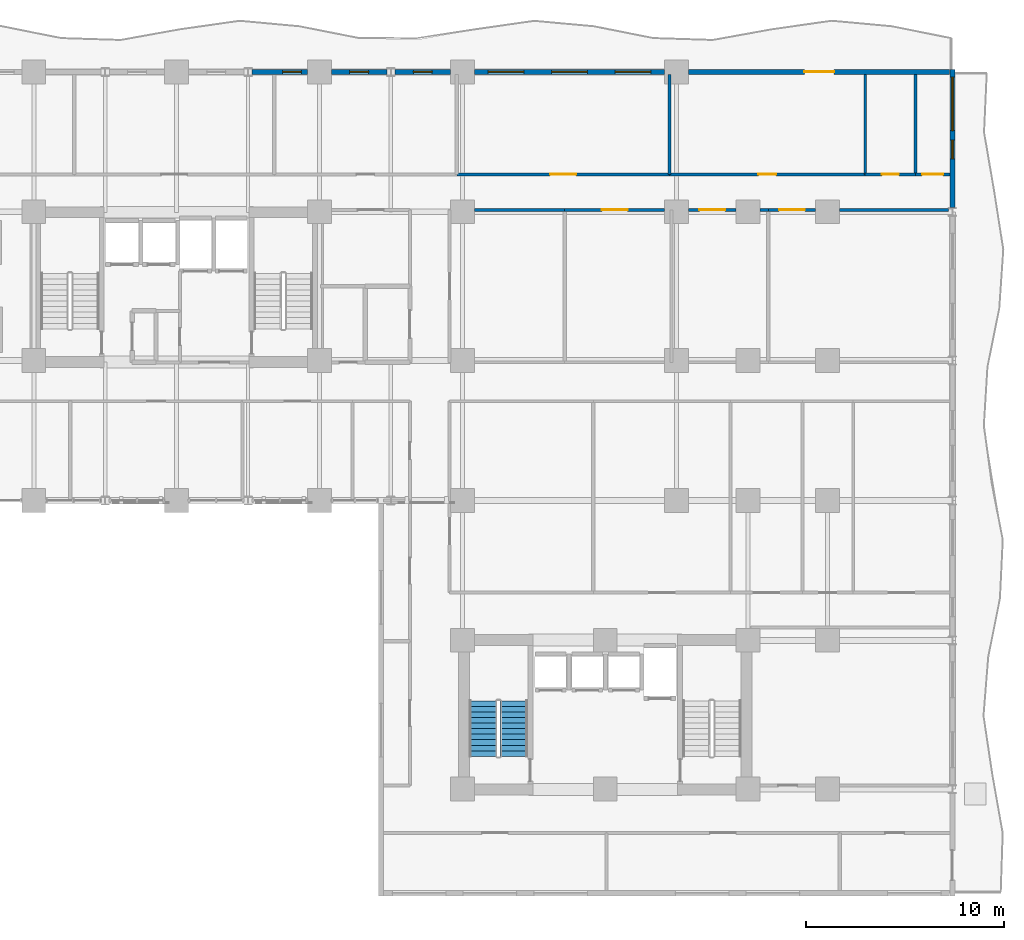
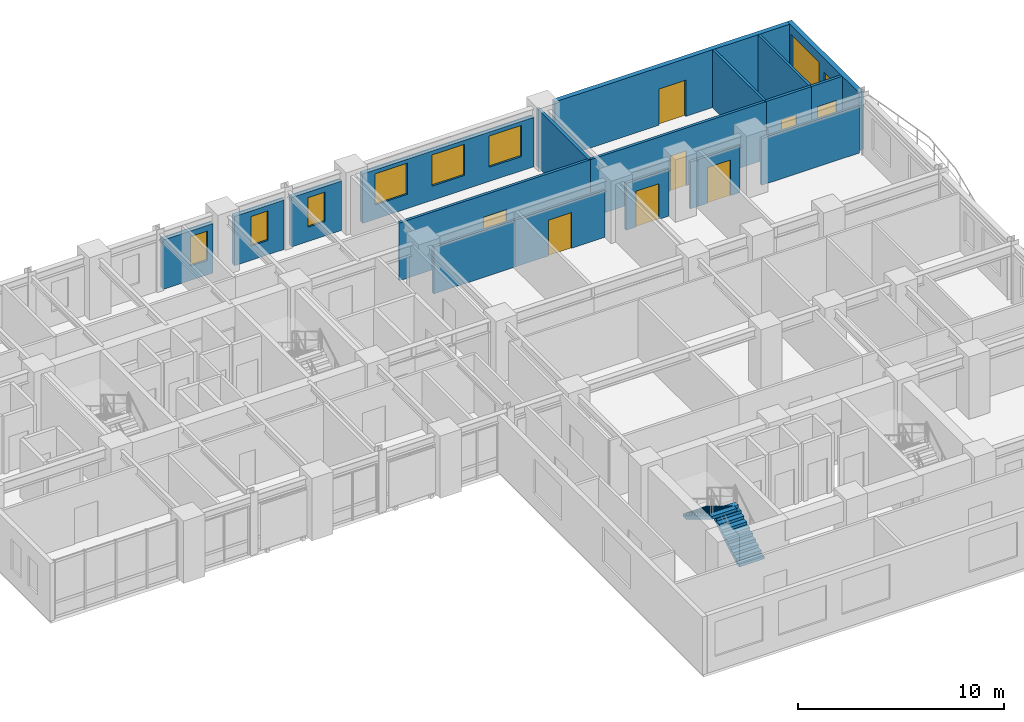
# One storey, part 12 of 16: 19 walls, 8 doors, 8 windows, 2 stair flights, 16 openings, 1 element without a shape of its own.
"""IFC4 building model written with IfcOpenShell, lengths in metres."""

from ifc_helpers import new_model, si_unit, direction, frame, frame_2d, origin, place, context, subcontext, project, spatial, polyline, rectangle, outline, extrude, material, layer, layer_set, type_object, element, fill, aggregate, save


model = new_model("IFC4")

# Units and contexts
model_context = context("Model", 3, precision=1e-05, world=origin(), true_north=direction((0.0, 1.0)))
body_context = subcontext(model_context, "Body", "Model", "MODEL_VIEW")
ifc_project = project(units=[si_unit("LENGTHUNIT", "METRE"), si_unit("AREAUNIT", "SQUARE_METRE"), si_unit("VOLUMEUNIT", "CUBIC_METRE"), si_unit("PLANEANGLEUNIT", "RADIAN"), si_unit("MASSUNIT", "GRAM", prefix="KILO")], contexts=[model_context])

# Site, building, storey
site_placement = place(None, origin())
site = spatial("IfcSite", under=ifc_project, at=site_placement, CompositionType="ELEMENT")
building_placement = place(site_placement, origin())
building = spatial("IfcBuilding", under=site, at=building_placement, Name="Kaliganga Portal Commons", CompositionType="ELEMENT")
storey_placement = place(building_placement, frame((0.0, 0.0, 82.300048828125)))
storey = spatial("IfcBuildingStorey", under=building, at=storey_placement, Name="L20", CompositionType="ELEMENT", Elevation=82.300048828125)

# Wall, openings, windows
ifc_material_1 = material(Name="Insulated Aluminium-Clad Spandrel Assembly", Category="aluminium")
ifc_layer_1 = layer(ifc_material_1, 0.260009765625)
ifc_layer_set_1 = layer_set([ifc_layer_1], Name="Insulated Aluminium-Clad Spandrel Assembly")
wall_type_1 = type_object("IfcWallType", Name="WL-EXT-SPAND-260", PredefinedType="STANDARD", material=ifc_layer_set_1)
wall_1_placement = place(storey_placement, frame((60.699951171875, 43.330078125, 0.0), z_axis=(0.0, 0.0, 1.0), x_axis=(0.0, -1.0, 0.0)))
wall_1 = element("IfcWall", 1, at=wall_1_placement, inside=storey, type_object=wall_type_1, Name="Exterior Envelope Wall L20 P1-E01-S6", PredefinedType="STANDARD", context=body_context, shape_type="SweptSolid", body=[
    extrude(rectangle(XDim=6.964111328125, YDim=0.260009765625, at=frame_2d((3.48193359375, 0.0))), origin(), (0.0, 0.0, 1.0), 3.429931640625),
])
opening_1_placement = place(wall_1_placement, frame((0.39111328125, 0.0, 0.85009765625)))
opening_1 = element("IfcOpeningElement", 2, at=opening_1_placement, cuts=wall_1, Name="Opening W-07", PredefinedType="OPENING", context=body_context, shape_type="SweptSolid", body=[
    extrude(rectangle(XDim=2.699951171875, YDim=2.050048828125, at=frame_2d((1.35009765625, 1.02490234375))), frame((0.0, 0.14013671875, 0.0), z_axis=(0.0, -1.0, 0.0), x_axis=(1.0, 0.0, 0.0)), (0.0, 0.0, 1.0), 0.280029296875),
])
opening_2_placement = place(wall_1_placement, frame((3.564208984375, 0.0, 0.85009765625)))
opening_2 = element("IfcOpeningElement", 3, at=opening_2_placement, cuts=wall_1, Name="Opening W-04", PredefinedType="OPENING", context=body_context, shape_type="SweptSolid", body=[
    extrude(rectangle(XDim=0.949951171875, YDim=1.75, at=frame_2d((0.47509765625, 0.875))), frame((0.0, 0.14013671875, 0.0), z_axis=(0.0, -1.0, 0.0), x_axis=(1.0, 0.0, 0.0)), (0.0, 0.0, 1.0), 0.280029296875),
])
ifc_material_2 = material(Name="Thermally Broken Aluminium and Low-E Double Glazing", Category="aluminium")
window_type_1 = type_object("IfcWindowType", Name="WIN-LOUNGE-2700", PartitioningType="TRIPLE_PANEL_VERTICAL", PredefinedType="WINDOW", material=ifc_material_2)
window_1_placement = place(opening_1_placement, origin())
window_1 = element("IfcWindow", 4, at=window_1_placement, inside=storey, type_object=window_type_1, Name="Facade Window L20-P1E01S6-00", OverallHeight=2.050048828125, OverallWidth=2.699951171875, PartitioningType="SINGLE_PANEL", PredefinedType="WINDOW", context=body_context, shape_type="SweptSolid", body=[
    extrude(rectangle(XDim=2.699951171875, YDim=2.050048828125, at=frame_2d((1.35009765625, 1.02490234375))), frame((0.0, 0.030029296875, 0.0), z_axis=(0.0, -1.0, 0.0), x_axis=(1.0, 0.0, 0.0)), (0.0, 0.0, 1.0), 0.06005859375),
])
fill(opening_1, window_1)
window_type_2 = type_object("IfcWindowType", Name="WIN-NARROW-950", PartitioningType="SINGLE_PANEL", PredefinedType="WINDOW", material=ifc_material_2)
window_2_placement = place(opening_2_placement, origin())
window_2 = element("IfcWindow", 5, at=window_2_placement, inside=storey, type_object=window_type_2, Name="Facade Window L20-P1E01S6-N6", OverallHeight=1.75, OverallWidth=0.949951171875, PartitioningType="SINGLE_PANEL", PredefinedType="WINDOW", context=body_context, shape_type="SweptSolid", body=[
    extrude(rectangle(XDim=0.949951171875, YDim=1.75, at=frame_2d((0.47509765625, 0.875))), frame((0.0, 0.030029296875, 0.0), z_axis=(0.0, -1.0, 0.0), x_axis=(1.0, 0.0, 0.0)), (0.0, 0.0, 1.0), 0.06005859375),
])
fill(opening_2, window_2)

# Wall, opening, door
wall_2_placement = place(storey_placement, frame((47.40087890625, 43.199951171875, 0.0), z_axis=(0.0, 0.0, 1.0), x_axis=(1.0, 0.0, 0.0)))
wall_2 = element("IfcWall", 6, at=wall_2_placement, inside=storey, type_object=wall_type_1, Name="Exterior Envelope Wall L20 P1-E02-S1", PredefinedType="STANDARD", context=body_context, shape_type="SweptSolid", body=[
    extrude(rectangle(XDim=13.1640625, YDim=0.260009765625, at=frame_2d((6.58203125, 0.0))), origin(), (0.0, 0.0, 1.0), 3.429931640625),
])
opening_3_placement = place(wall_2_placement, frame((5.83203125, 0.0, 0.0)))
opening_3 = element("IfcOpeningElement", 7, at=opening_3_placement, cuts=wall_2, Name="Opening BD-01", PredefinedType="OPENING", context=body_context, shape_type="SweptSolid", body=[
    extrude(rectangle(XDim=1.5, YDim=2.14990234375, at=frame_2d((0.75, 1.074951171875))), frame((0.0, 0.14013671875, 0.0), z_axis=(0.0, -1.0, 0.0), x_axis=(1.0, 0.0, 0.0)), (0.0, 0.0, 1.0), 0.280029296875),
])
ifc_material_3 = material(Name="Anodized Aluminium and Laminated Safety Glass", Category="aluminium")
door_type_1 = type_object("IfcDoorType", Name="DR-BALC-1500", OperationType="SLIDING_TO_LEFT", PredefinedType="DOOR", material=ifc_material_3)
door_1_placement = place(opening_3_placement, origin())
door_1 = element("IfcDoor", 8, at=door_1_placement, inside=storey, type_object=door_type_1, Name="Balcony Sliding Door L20 balc_north", OperationType="SLIDING_TO_LEFT", OverallHeight=2.14990234375, OverallWidth=1.5, PredefinedType="DOOR", context=body_context, shape_type="SweptSolid", body=[
    extrude(rectangle(XDim=1.5, YDim=2.14990234375, at=frame_2d((0.75, 1.074951171875))), frame((0.0, 0.02490234375, 0.0), z_axis=(0.0, -1.0, 0.0), x_axis=(1.0, 0.0, 0.0)), (0.0, 0.0, 1.0), 0.050048828125),
])
fill(opening_3, door_1)

# Wall, openings, windows
wall_3_placement = place(storey_placement, frame((36.60107421875, 43.199951171875, 0.0), z_axis=(0.0, 0.0, 1.0), x_axis=(1.0, 0.0, 0.0)))
wall_3 = element("IfcWall", 9, at=wall_3_placement, inside=storey, type_object=wall_type_1, Name="Exterior Envelope Wall L20 P1-E02-S2", PredefinedType="STANDARD", context=body_context, shape_type="SweptSolid", body=[
    extrude(rectangle(XDim=9.597900390625, YDim=0.260009765625, at=frame_2d((4.798828125, 0.0))), origin(), (0.0, 0.0, 1.0), 2.929931640625),
])
opening_4_placement = place(wall_3_placement, frame((0.69970703125, 0.0, 0.85009765625)))
opening_4 = element("IfcOpeningElement", 10, at=opening_4_placement, cuts=wall_3, Name="Opening W-01", PredefinedType="OPENING", context=body_context, shape_type="SweptSolid", body=[
    extrude(rectangle(XDim=1.800048828125, YDim=1.85009765625, at=frame_2d((0.89990234375, 0.925048828125))), frame((0.0, 0.14013671875, 0.0), z_axis=(0.0, -1.0, 0.0), x_axis=(1.0, 0.0, 0.0)), (0.0, 0.0, 1.0), 0.280029296875),
])
opening_5_placement = place(wall_3_placement, frame((3.89892578125, 0.0, 0.85009765625)))
opening_5 = element("IfcOpeningElement", 11, at=opening_5_placement, cuts=wall_3, Name="Opening W-01", PredefinedType="OPENING", context=body_context, shape_type="SweptSolid", body=[
    extrude(rectangle(XDim=1.800048828125, YDim=1.85009765625, at=frame_2d((0.89990234375, 0.925048828125))), frame((0.0, 0.14013671875, 0.0), z_axis=(0.0, -1.0, 0.0), x_axis=(1.0, 0.0, 0.0)), (0.0, 0.0, 1.0), 0.280029296875),
])
opening_6_placement = place(wall_3_placement, frame((7.098388671875, 0.0, 0.85009765625)))
opening_6 = element("IfcOpeningElement", 12, at=opening_6_placement, cuts=wall_3, Name="Opening W-01", PredefinedType="OPENING", context=body_context, shape_type="SweptSolid", body=[
    extrude(rectangle(XDim=1.800048828125, YDim=1.85009765625, at=frame_2d((0.89990234375, 0.925048828125))), frame((0.0, 0.14013671875, 0.0), z_axis=(0.0, -1.0, 0.0), x_axis=(1.0, 0.0, 0.0)), (0.0, 0.0, 1.0), 0.280029296875),
])
window_type_3 = type_object("IfcWindowType", Name="WIN-STD-1800", PartitioningType="DOUBLE_PANEL_VERTICAL", PredefinedType="WINDOW", material=ifc_material_2)
window_3_placement = place(opening_4_placement, origin())
window_3 = element("IfcWindow", 13, at=window_3_placement, inside=storey, type_object=window_type_3, Name="Facade Window L20-P1E02S2-00", OverallHeight=1.85009765625, OverallWidth=1.800048828125, PartitioningType="SINGLE_PANEL", PredefinedType="WINDOW", context=body_context, shape_type="SweptSolid", body=[
    extrude(rectangle(XDim=1.800048828125, YDim=1.85009765625, at=frame_2d((0.89990234375, 0.925048828125))), frame((0.0, 0.030029296875, 0.0), z_axis=(0.0, -1.0, 0.0), x_axis=(1.0, 0.0, 0.0)), (0.0, 0.0, 1.0), 0.06005859375),
])
fill(opening_4, window_3)
window_4_placement = place(opening_5_placement, origin())
window_4 = element("IfcWindow", 14, at=window_4_placement, inside=storey, type_object=window_type_3, Name="Facade Window L20-P1E02S2-01", OverallHeight=1.85009765625, OverallWidth=1.800048828125, PartitioningType="SINGLE_PANEL", PredefinedType="WINDOW", context=body_context, shape_type="SweptSolid", body=[
    extrude(rectangle(XDim=1.800048828125, YDim=1.85009765625, at=frame_2d((0.89990234375, 0.925048828125))), frame((0.0, 0.030029296875, 0.0), z_axis=(0.0, -1.0, 0.0), x_axis=(1.0, 0.0, 0.0)), (0.0, 0.0, 1.0), 0.06005859375),
])
fill(opening_5, window_4)
window_5_placement = place(opening_6_placement, origin())
window_5 = element("IfcWindow", 15, at=window_5_placement, inside=storey, type_object=window_type_3, Name="Facade Window L20-P1E02S2-02", OverallHeight=1.85009765625, OverallWidth=1.800048828125, PartitioningType="SINGLE_PANEL", PredefinedType="WINDOW", context=body_context, shape_type="SweptSolid", body=[
    extrude(rectangle(XDim=1.800048828125, YDim=1.85009765625, at=frame_2d((0.89990234375, 0.925048828125))), frame((0.0, 0.030029296875, 0.0), z_axis=(0.0, -1.0, 0.0), x_axis=(1.0, 0.0, 0.0)), (0.0, 0.0, 1.0), 0.06005859375),
])
fill(opening_6, window_5)

# Wall, opening, window
wall_4_placement = place(storey_placement, frame((32.60546875, 43.199951171875, 0.0), z_axis=(0.0, 0.0, 1.0), x_axis=(1.0, 0.0, 0.0)))
wall_4 = element("IfcWall", 16, at=wall_4_placement, inside=storey, type_object=wall_type_1, Name="Exterior Envelope Wall L20 P1-E02-S3", PredefinedType="STANDARD", context=body_context, shape_type="SweptSolid", body=[
    extrude(rectangle(XDim=2.79345703125, YDim=0.260009765625, at=frame_2d((1.396728515625, 0.0))), origin(), (0.0, 0.0, 1.0), 2.929931640625),
])
opening_7_placement = place(wall_4_placement, frame((0.921875, 0.0, 0.85009765625)))
opening_7 = element("IfcOpeningElement", 17, at=opening_7_placement, cuts=wall_4, Name="Opening W-04", PredefinedType="OPENING", context=body_context, shape_type="SweptSolid", body=[
    extrude(rectangle(XDim=0.949951171875, YDim=1.75, at=frame_2d((0.47509765625, 0.875))), frame((0.0, 0.14013671875, 0.0), z_axis=(0.0, -1.0, 0.0), x_axis=(1.0, 0.0, 0.0)), (0.0, 0.0, 1.0), 0.280029296875),
])
window_6_placement = place(opening_7_placement, origin())
window_6 = element("IfcWindow", 18, at=window_6_placement, inside=storey, type_object=window_type_2, Name="Facade Window L20-P1E02S3-00", OverallHeight=1.75, OverallWidth=0.949951171875, PartitioningType="SINGLE_PANEL", PredefinedType="WINDOW", context=body_context, shape_type="SweptSolid", body=[
    extrude(rectangle(XDim=0.949951171875, YDim=1.75, at=frame_2d((0.47509765625, 0.875))), frame((0.0, 0.030029296875, 0.0), z_axis=(0.0, -1.0, 0.0), x_axis=(1.0, 0.0, 0.0)), (0.0, 0.0, 1.0), 0.06005859375),
])
fill(opening_7, window_6)

wall_5_placement = place(storey_placement, frame((29.40087890625, 43.199951171875, 0.0), z_axis=(0.0, 0.0, 1.0), x_axis=(1.0, 0.0, 0.0)))
wall_5 = element("IfcWall", 19, at=wall_5_placement, inside=storey, type_object=wall_type_1, Name="Exterior Envelope Wall L20 P1-E02-S4", PredefinedType="STANDARD", context=body_context, shape_type="SweptSolid", body=[
    extrude(rectangle(XDim=2.793701171875, YDim=0.260009765625, at=frame_2d((1.39697265625, 0.0))), origin(), (0.0, 0.0, 1.0), 2.929931640625),
])
opening_8_placement = place(wall_5_placement, frame((0.921630859375, 0.0, 0.85009765625)))
opening_8 = element("IfcOpeningElement", 20, at=opening_8_placement, cuts=wall_5, Name="Opening W-04", PredefinedType="OPENING", context=body_context, shape_type="SweptSolid", body=[
    extrude(rectangle(XDim=0.949951171875, YDim=1.75, at=frame_2d((0.47509765625, 0.875))), frame((0.0, 0.14013671875, 0.0), z_axis=(0.0, -1.0, 0.0), x_axis=(1.0, 0.0, 0.0)), (0.0, 0.0, 1.0), 0.280029296875),
])
window_7_placement = place(opening_8_placement, origin())
window_7 = element("IfcWindow", 21, at=window_7_placement, inside=storey, type_object=window_type_2, Name="Facade Window L20-P1E02S4-00", OverallHeight=1.75, OverallWidth=0.949951171875, PartitioningType="SINGLE_PANEL", PredefinedType="WINDOW", context=body_context, shape_type="SweptSolid", body=[
    extrude(rectangle(XDim=0.949951171875, YDim=1.75, at=frame_2d((0.47509765625, 0.875))), frame((0.0, 0.030029296875, 0.0), z_axis=(0.0, -1.0, 0.0), x_axis=(1.0, 0.0, 0.0)), (0.0, 0.0, 1.0), 0.06005859375),
])
fill(opening_8, window_7)

wall_6_placement = place(storey_placement, frame((25.405517578125, 43.199951171875, 0.0), z_axis=(0.0, 0.0, 1.0), x_axis=(1.0, 0.0, 0.0)))
wall_6 = element("IfcWall", 22, at=wall_6_placement, inside=storey, type_object=wall_type_1, Name="Exterior Envelope Wall L20 P1-E02-S5", PredefinedType="STANDARD", context=body_context, shape_type="SweptSolid", body=[
    extrude(rectangle(XDim=2.79345703125, YDim=0.260009765625, at=frame_2d((1.396728515625, 0.0))), origin(), (0.0, 0.0, 1.0), 2.929931640625),
])
opening_9_placement = place(wall_6_placement, frame((1.536376953125, 0.0, 0.85009765625)))
opening_9 = element("IfcOpeningElement", 23, at=opening_9_placement, cuts=wall_6, Name="Opening W-04", PredefinedType="OPENING", context=body_context, shape_type="SweptSolid", body=[
    extrude(rectangle(XDim=0.949951171875, YDim=1.75, at=frame_2d((0.47509765625, 0.875))), frame((0.0, 0.14013671875, 0.0), z_axis=(0.0, -1.0, 0.0), x_axis=(1.0, 0.0, 0.0)), (0.0, 0.0, 1.0), 0.280029296875),
])
window_8_placement = place(opening_9_placement, origin())
window_8 = element("IfcWindow", 24, at=window_8_placement, inside=storey, type_object=window_type_2, Name="Facade Window L20-P1E02S5-N4", OverallHeight=1.75, OverallWidth=0.949951171875, PartitioningType="SINGLE_PANEL", PredefinedType="WINDOW", context=body_context, shape_type="SweptSolid", body=[
    extrude(rectangle(XDim=0.949951171875, YDim=1.75, at=frame_2d((0.47509765625, 0.875))), frame((0.0, 0.030029296875, 0.0), z_axis=(0.0, -1.0, 0.0), x_axis=(1.0, 0.0, 0.0)), (0.0, 0.0, 1.0), 0.06005859375),
])
fill(opening_9, window_8)

# Wall, opening, door
ifc_material_4 = material(Name="Fire-Rated Gypsum Board on Steel Stud", Category="steel")
ifc_layer_2 = layer(ifc_material_4, 0.14990234375)
ifc_layer_set_2 = layer_set([ifc_layer_2], Name="Fire-Rated Gypsum Board on Steel Stud")
wall_type_2 = type_object("IfcWallType", Name="WL-PART-CORR-150", PredefinedType="PARTITIONING", material=ifc_layer_set_2)
wall_7_placement = place(storey_placement, frame((35.719970703125, 38.0400390625, 0.0), z_axis=(0.0, 0.0, 1.0), x_axis=(1.0, 0.0, 0.0)))
wall_7 = element("IfcWall", 25, at=wall_7_placement, inside=storey, type_object=wall_type_2, Name="Interior Partition L20-003", PredefinedType="PARTITIONING", context=body_context, shape_type="SweptSolid", body=[
    extrude(rectangle(XDim=10.719970703125, YDim=0.14990234375, at=frame_2d((5.35986328125, 0.0))), origin(), (0.0, 0.0, 1.0), 3.429931640625),
])
opening_10_placement = place(wall_7_placement, frame((4.7099609375, 0.0, 0.0)))
opening_10 = element("IfcOpeningElement", 26, at=opening_10_placement, cuts=wall_7, Name="Opening RD-03", PredefinedType="OPENING", context=body_context, shape_type="SweptSolid", body=[
    extrude(rectangle(XDim=1.300048828125, YDim=2.1201171875, at=frame_2d((0.64990234375, 1.06005859375))), frame((0.0, 0.0849609375, 0.0), z_axis=(0.0, -1.0, 0.0), x_axis=(1.0, 0.0, 0.0)), (0.0, 0.0, 1.0), 0.169921875),
])
ifc_material_5 = material(Name="Glazed Timber Seminar Vision Door", Category="wood")
door_type_2 = type_object("IfcDoorType", Name="DR-STUDY-1300", OperationType="DOUBLE_DOOR_SINGLE_SWING", PredefinedType="DOOR", material=ifc_material_5)
door_2_placement = place(opening_10_placement, origin())
door_2 = element("IfcDoor", 27, at=door_2_placement, inside=storey, type_object=door_type_2, Name="Interior Door L20-AN04", OperationType="DOUBLE_DOOR_SINGLE_SWING", OverallHeight=2.1201171875, OverallWidth=1.300048828125, PredefinedType="DOOR", context=body_context, shape_type="SweptSolid", body=[
    extrude(rectangle(XDim=1.300048828125, YDim=2.1201171875, at=frame_2d((0.64990234375, 1.06005859375))), frame((0.0, 0.02490234375, 0.0), z_axis=(0.0, -1.0, 0.0), x_axis=(1.0, 0.0, 0.0)), (0.0, 0.0, 1.0), 0.050048828125),
])
fill(opening_10, door_2)

wall_8_placement = place(storey_placement, frame((46.43994140625, 38.0400390625, 0.0), z_axis=(0.0, 0.0, 1.0), x_axis=(1.0, 0.0, 0.0)))
wall_8 = element("IfcWall", 28, at=wall_8_placement, inside=storey, type_object=wall_type_2, Name="Interior Partition L20-008", PredefinedType="PARTITIONING", context=body_context, shape_type="SweptSolid", body=[
    extrude(rectangle(XDim=9.860107421875, YDim=0.14990234375, at=frame_2d((4.93017578125, 0.0))), origin(), (0.0, 0.0, 1.0), 3.429931640625),
])
opening_11_placement = place(wall_8_placement, frame((4.47998046875, 0.0, 0.0)))
opening_11 = element("IfcOpeningElement", 29, at=opening_11_placement, cuts=wall_8, Name="Opening RD-01", PredefinedType="OPENING", context=body_context, shape_type="SweptSolid", body=[
    extrude(rectangle(XDim=0.89990234375, YDim=2.080078125, at=frame_2d((0.449951171875, 1.0400390625))), frame((0.0, 0.0849609375, 0.0), z_axis=(0.0, -1.0, 0.0), x_axis=(1.0, 0.0, 0.0)), (0.0, 0.0, 1.0), 0.169921875),
])
ifc_material_6 = material(Name="Engineered Timber Flush Door", Category="wood")
door_type_3 = type_object("IfcDoorType", Name="DR-ROOM-900", OperationType="NOTDEFINED", PredefinedType="DOOR", material=ifc_material_6)
door_3_placement = place(opening_11_placement, origin())
door_3 = element("IfcDoor", 30, at=door_3_placement, inside=storey, type_object=door_type_3, Name="Interior Door L20-AN05", OperationType="SINGLE_SWING_LEFT", OverallHeight=2.080078125, OverallWidth=0.89990234375, PredefinedType="DOOR", context=body_context, shape_type="SweptSolid", body=[
    extrude(rectangle(XDim=0.89990234375, YDim=2.080078125, at=frame_2d((0.449951171875, 1.0400390625))), frame((0.0, 0.02490234375, 0.0), z_axis=(0.0, -1.0, 0.0), x_axis=(1.0, 0.0, 0.0)), (0.0, 0.0, 1.0), 0.050048828125),
])
fill(opening_11, door_3)

wall_9_placement = place(storey_placement, frame((51.419921875, 36.239990234375, 0.0), z_axis=(0.0, 0.0, 1.0), x_axis=(1.0, 0.0, 0.0)))
wall_9 = element("IfcWall", 31, at=wall_9_placement, inside=storey, type_object=wall_type_2, Name="Interior Partition L20-012", PredefinedType="PARTITIONING", context=body_context, shape_type="SweptSolid", body=[
    extrude(rectangle(XDim=2.380126953125, YDim=0.14990234375, at=frame_2d((1.18994140625, 0.0))), origin(), (0.0, 0.0, 1.0), 2.780029296875),
])
opening_12_placement = place(wall_9_placement, frame((0.5400390625, 0.0, 0.0)))
opening_12 = element("IfcOpeningElement", 32, at=opening_12_placement, cuts=wall_9, Name="Opening RD-03", PredefinedType="OPENING", context=body_context, shape_type="SweptSolid", body=[
    extrude(rectangle(XDim=1.300048828125, YDim=2.1201171875, at=frame_2d((0.64990234375, 1.06005859375))), frame((0.0, 0.0849609375, 0.0), z_axis=(0.0, -1.0, 0.0), x_axis=(1.0, 0.0, 0.0)), (0.0, 0.0, 1.0), 0.169921875),
])
door_4_placement = place(opening_12_placement, origin())
door_4 = element("IfcDoor", 33, at=door_4_placement, inside=storey, type_object=door_type_2, Name="Interior Door L20-BK04", OperationType="DOUBLE_DOOR_SINGLE_SWING", OverallHeight=2.1201171875, OverallWidth=1.300048828125, PredefinedType="DOOR", context=body_context, shape_type="SweptSolid", body=[
    extrude(rectangle(XDim=1.300048828125, YDim=2.1201171875, at=frame_2d((0.64990234375, 1.06005859375))), frame((0.0, 0.02490234375, 0.0), z_axis=(0.0, -1.0, 0.0), x_axis=(1.0, 0.0, 0.0)), (0.0, 0.0, 1.0), 0.050048828125),
])
fill(opening_12, door_4)

# Walls
wall_10_placement = place(storey_placement, frame((55.0, 36.239990234375, 0.0), z_axis=(0.0, 0.0, 1.0), x_axis=(1.0, 0.0, 0.0)))
element("IfcWall", 34, at=wall_10_placement, inside=storey, type_object=wall_type_2, Name="Interior Partition L20-013", PredefinedType="PARTITIONING", context=body_context, shape_type="SweptSolid", body=[
    extrude(rectangle(XDim=5.49560546875, YDim=0.14990234375, at=frame_2d((2.747802734375, 0.0))), origin(), (0.0, 0.0, 1.0), 2.780029296875),
])
wall_11_placement = place(storey_placement, frame((36.60009765625, 36.239990234375, 0.0), z_axis=(0.0, 0.0, 1.0), x_axis=(1.0, 0.0, 0.0)))
element("IfcWall", 35, at=wall_11_placement, inside=storey, type_object=wall_type_2, Name="Interior Partition L20-021", PredefinedType="PARTITIONING", context=body_context, shape_type="SweptSolid", body=[
    extrude(rectangle(XDim=4.559814453125, YDim=0.14990234375, at=frame_2d((2.27978515625, 0.0))), origin(), (0.0, 0.0, 1.0), 2.780029296875),
])

# Wall, opening, door
wall_12_placement = place(storey_placement, frame((41.159912109375, 36.239990234375, 0.0), z_axis=(0.0, 0.0, 1.0), x_axis=(1.0, 0.0, 0.0)))
wall_12 = element("IfcWall", 36, at=wall_12_placement, inside=storey, type_object=wall_type_2, Name="Interior Partition L20-024", PredefinedType="PARTITIONING", context=body_context, shape_type="SweptSolid", body=[
    extrude(rectangle(XDim=5.0400390625, YDim=0.14990234375, at=frame_2d((2.52001953125, 0.0))), origin(), (0.0, 0.0, 1.0), 2.780029296875),
])
opening_13_placement = place(wall_12_placement, frame((1.8701171875, 0.0, 0.0)))
opening_13 = element("IfcOpeningElement", 37, at=opening_13_placement, cuts=wall_12, Name="Opening RD-03", PredefinedType="OPENING", context=body_context, shape_type="SweptSolid", body=[
    extrude(rectangle(XDim=1.300048828125, YDim=2.1201171875, at=frame_2d((0.64990234375, 1.06005859375))), frame((0.0, 0.0849609375, 0.0), z_axis=(0.0, -1.0, 0.0), x_axis=(1.0, 0.0, 0.0)), (0.0, 0.0, 1.0), 0.169921875),
])
door_5_placement = place(opening_13_placement, origin())
door_5 = element("IfcDoor", 38, at=door_5_placement, inside=storey, type_object=door_type_2, Name="Interior Door L20-BK02", OperationType="DOUBLE_DOOR_SINGLE_SWING", OverallHeight=2.1201171875, OverallWidth=1.300048828125, PredefinedType="DOOR", context=body_context, shape_type="SweptSolid", body=[
    extrude(rectangle(XDim=1.300048828125, YDim=2.1201171875, at=frame_2d((0.64990234375, 1.06005859375))), frame((0.0, 0.02490234375, 0.0), z_axis=(0.0, -1.0, 0.0), x_axis=(1.0, 0.0, 0.0)), (0.0, 0.0, 1.0), 0.050048828125),
])
fill(opening_13, door_5)

wall_13_placement = place(storey_placement, frame((47.39990234375, 36.239990234375, 0.0), z_axis=(0.0, 0.0, 1.0), x_axis=(1.0, 0.0, 0.0)))
wall_13 = element("IfcWall", 39, at=wall_13_placement, inside=storey, type_object=wall_type_2, Name="Interior Partition L20-027", PredefinedType="PARTITIONING", context=body_context, shape_type="SweptSolid", body=[
    extrude(rectangle(XDim=2.400146484375, YDim=0.14990234375, at=frame_2d((1.2001953125, 0.0))), origin(), (0.0, 0.0, 1.0), 2.780029296875),
])
opening_14_placement = place(wall_13_placement, frame((0.550048828125, 0.0, 0.0)))
opening_14 = element("IfcOpeningElement", 40, at=opening_14_placement, cuts=wall_13, Name="Opening RD-03", PredefinedType="OPENING", context=body_context, shape_type="SweptSolid", body=[
    extrude(rectangle(XDim=1.300048828125, YDim=2.1201171875, at=frame_2d((0.64990234375, 1.06005859375))), frame((0.0, 0.0849609375, 0.0), z_axis=(0.0, -1.0, 0.0), x_axis=(1.0, 0.0, 0.0)), (0.0, 0.0, 1.0), 0.169921875),
])
door_6_placement = place(opening_14_placement, origin())
door_6 = element("IfcDoor", 41, at=door_6_placement, inside=storey, type_object=door_type_2, Name="Interior Door L20-BK03", OperationType="DOUBLE_DOOR_SINGLE_SWING", OverallHeight=2.1201171875, OverallWidth=1.300048828125, PredefinedType="DOOR", context=body_context, shape_type="SweptSolid", body=[
    extrude(rectangle(XDim=1.300048828125, YDim=2.1201171875, at=frame_2d((0.64990234375, 1.06005859375))), frame((0.0, 0.02490234375, 0.0), z_axis=(0.0, -1.0, 0.0), x_axis=(1.0, 0.0, 0.0)), (0.0, 0.0, 1.0), 0.050048828125),
])
fill(opening_14, door_6)

# Wall
wall_14_placement = place(storey_placement, frame((51.0, 36.239990234375, 0.0), z_axis=(0.0, 0.0, 1.0), x_axis=(1.0, 0.0, 0.0)))
element("IfcWall", 42, at=wall_14_placement, inside=storey, type_object=wall_type_2, Name="Interior Partition L20-028", PredefinedType="PARTITIONING", context=body_context, shape_type="SweptSolid", body=[
    extrude(rectangle(XDim=0.419921875, YDim=0.14990234375, at=frame_2d((0.2099609375, 0.0))), origin(), (0.0, 0.0, 1.0), 2.780029296875),
])

# Wall, opening, door
wall_15_placement = place(storey_placement, frame((56.300048828125, 38.0400390625, 0.0), z_axis=(0.0, 0.0, 1.0), x_axis=(1.0, 0.0, 0.0)))
wall_15 = element("IfcWall", 43, at=wall_15_placement, inside=storey, type_object=wall_type_2, Name="Interior Partition L20-037", PredefinedType="PARTITIONING", context=body_context, shape_type="SweptSolid", body=[
    extrude(rectangle(XDim=2.5400390625, YDim=0.14990234375, at=frame_2d((1.27001953125, 0.0))), origin(), (0.0, 0.0, 1.0), 3.429931640625),
])
opening_15_placement = place(wall_15_placement, frame((0.844970703125, 0.0, 0.0)))
opening_15 = element("IfcOpeningElement", 44, at=opening_15_placement, cuts=wall_15, Name="Opening WD-01", PredefinedType="OPENING", context=body_context, shape_type="SweptSolid", body=[
    extrude(rectangle(XDim=0.85009765625, YDim=2.0400390625, at=frame_2d((0.425048828125, 1.02001953125))), frame((0.0, 0.0849609375, 0.0), z_axis=(0.0, -1.0, 0.0), x_axis=(1.0, 0.0, 0.0)), (0.0, 0.0, 1.0), 0.169921875),
])
ifc_material_7 = material(Name="Moisture-Resistant Laminate Timber Door", Category="wood")
door_type_4 = type_object("IfcDoorType", Name="DR-WET-850", OperationType="NOTDEFINED", PredefinedType="DOOR", material=ifc_material_7)
door_7_placement = place(opening_15_placement, origin())
door_7 = element("IfcDoor", 45, at=door_7_placement, inside=storey, type_object=door_type_4, Name="Interior Door L20-AN06", OperationType="SINGLE_SWING_RIGHT", OverallHeight=2.0400390625, OverallWidth=0.85009765625, PredefinedType="DOOR", context=body_context, shape_type="SweptSolid", body=[
    extrude(rectangle(XDim=0.85009765625, YDim=2.0400390625, at=frame_2d((0.425048828125, 1.02001953125))), frame((0.0, 0.02490234375, 0.0), z_axis=(0.0, -1.0, 0.0), x_axis=(1.0, 0.0, 0.0)), (0.0, 0.0, 1.0), 0.050048828125),
])
fill(opening_15, door_7)

wall_16_placement = place(storey_placement, frame((58.840087890625, 38.0400390625, 0.0), z_axis=(0.0, 0.0, 1.0), x_axis=(1.0, 0.0, 0.0)))
wall_16 = element("IfcWall", 46, at=wall_16_placement, inside=storey, type_object=wall_type_2, Name="Interior Partition L20-040", PredefinedType="PARTITIONING", context=body_context, shape_type="SweptSolid", body=[
    extrude(rectangle(XDim=1.72802734375, YDim=0.14990234375, at=frame_2d((0.864013671875, 0.0))), origin(), (0.0, 0.0, 1.0), 3.429931640625),
])
opening_16_placement = place(wall_16_placement, frame((0.339111328125, 0.0, 0.0)))
opening_16 = element("IfcOpeningElement", 47, at=opening_16_placement, cuts=wall_16, Name="Opening UD-02", PredefinedType="OPENING", context=body_context, shape_type="SweptSolid", body=[
    extrude(rectangle(XDim=1.050048828125, YDim=2.1201171875, at=frame_2d((0.52490234375, 1.06005859375))), frame((0.0, 0.0849609375, 0.0), z_axis=(0.0, -1.0, 0.0), x_axis=(1.0, 0.0, 0.0)), (0.0, 0.0, 1.0), 0.169921875),
])
ifc_material_8 = material(Name="Accessible Wide-Leaf Acoustic Fire Door", Category="wood")
door_type_5 = type_object("IfcDoorType", Name="DR-ACC-1050", OperationType="NOTDEFINED", PredefinedType="DOOR", material=ifc_material_8)
door_8_placement = place(opening_16_placement, origin())
door_8 = element("IfcDoor", 48, at=door_8_placement, inside=storey, type_object=door_type_5, Name="Interior Door L20-AN07", OperationType="SINGLE_SWING_RIGHT", OverallHeight=2.1201171875, OverallWidth=1.050048828125, PredefinedType="DOOR", context=body_context, shape_type="SweptSolid", body=[
    extrude(rectangle(XDim=1.050048828125, YDim=2.1201171875, at=frame_2d((0.52490234375, 1.06005859375))), frame((0.0, 0.02490234375, 0.0), z_axis=(0.0, -1.0, 0.0), x_axis=(1.0, 0.0, 0.0)), (0.0, 0.0, 1.0), 0.050048828125),
])
fill(opening_16, door_8)

# Walls
ifc_material_9 = material(Name="Twin-Stud Acoustic Gypsum Partition", Category="gypsum")
ifc_layer_3 = layer(ifc_material_9, 0.1650390625)
ifc_layer_set_3 = layer_set([ifc_layer_3], Name="Twin-Stud Acoustic Gypsum Partition")
wall_type_3 = type_object("IfcWallType", Name="WL-PART-UNIT-165", PredefinedType="PARTITIONING", material=ifc_layer_set_3)
wall_17_placement = place(storey_placement, frame((46.43994140625, 38.0400390625, 0.0), z_axis=(0.0, 0.0, 1.0), x_axis=(0.0, 1.0, 0.0)))
element("IfcWall", 49, at=wall_17_placement, inside=storey, type_object=wall_type_3, Name="Interior Partition L20-062", PredefinedType="PARTITIONING", context=body_context, shape_type="SweptSolid", body=[
    extrude(rectangle(XDim=5.028076171875, YDim=0.1650390625, at=frame_2d((2.51416015625, 0.0))), origin(), (0.0, 0.0, 1.0), 3.429931640625),
])
ifc_material_10 = material(Name="Cement-Board Wet-Room Partition", Category="gypsum")
ifc_layer_4 = layer(ifc_material_10, 0.135009765625)
ifc_layer_set_4 = layer_set([ifc_layer_4], Name="Cement-Board Wet-Room Partition")
wall_type_4 = type_object("IfcWallType", Name="WL-PART-WET-135", PredefinedType="PARTITIONING", material=ifc_layer_set_4)
for number, where, z_axis, x_axis, name in (
    (50, (56.300048828125, 38.0400390625, 0.0), (0.0, 0.0, 1.0), (0.0, 1.0, 0.0), "Interior Partition L20-063"),
    (51, (58.840087890625, 38.0400390625, 0.0), (0.0, 0.0, 1.0), (0.0, 1.0, 0.0), "Interior Partition L20-064"),
):
    element("IfcWall", number, at=place(storey_placement, frame(where, z_axis=z_axis, x_axis=x_axis)), inside=storey, type_object=wall_type_4, Name=name, PredefinedType="PARTITIONING", context=body_context, shape_type="SweptSolid", body=[
        extrude(rectangle(XDim=5.028076171875, YDim=0.135009765625, at=frame_2d((2.51416015625, 0.0))), origin(), (0.0, 0.0, 1.0), 3.429931640625),
    ])

# Stair, stair flights
ifc_material_11 = material(Name="Concrete C40/50", Category="concrete")
stair_type = type_object("IfcStairType", Name="ST-CORE-DOGLEG", PredefinedType="HALF_TURN_STAIR", material=ifc_material_11)
stair_placement = place(storey_placement, origin())
stair = element("IfcStair", 52, at=stair_placement, inside=storey, type_object=stair_type, Name="L20 Protected Exit Stair ST-B1", PredefinedType="HALF_TURN_STAIR")
stair_flight_type = type_object("IfcStairFlightType", Name="STF-RC-1400", PredefinedType="STRAIGHT", material=ifc_material_11)
stair_flight_1_placement = place(storey_placement, frame((38.60009765625, 8.699951171875, 0.0), z_axis=(0.0, 0.0, 1.0), x_axis=(0.0, 1.0, 0.0)))
stair_flight_1 = element("IfcStairFlight", 53, at=stair_flight_1_placement, type_object=stair_flight_type, Name="ST-B1 flight 1", NumberOfRisers=11, NumberOfTreads=10, PredefinedType="STRAIGHT", RiserHeight=0.168181818, TreadLength=0.28, context=body_context, shape_type="SweptSolid", body=[
    extrude(outline(polyline([(0.0, 0.0), (0.0, 0.168212890625), (0.280029296875, 0.168212890625), (0.280029296875, 0.33642578125), (0.56005859375, 0.33642578125), (0.56005859375, 0.504638671875), (0.840087890625, 0.504638671875), (0.840087890625, 0.672607421875), (1.1201171875, 0.672607421875), (1.1201171875, 0.8408203125), (1.39990234375, 0.8408203125), (1.39990234375, 1.009033203125), (1.679931640625, 1.009033203125), (1.679931640625, 1.17724609375), (1.9599609375, 1.17724609375), (1.9599609375, 1.345458984375), (2.239990234375, 1.345458984375), (2.239990234375, 1.513671875), (2.52001953125, 1.513671875), (2.52001953125, 1.681884765625), (2.800048828125, 1.681884765625), (2.800048828125, 1.85009765625), (2.800048828125, 1.5068359375), (0.291015625, 0.0), (0.0, 0.0)])), frame((0.0, 0.699951171875, 0.0), z_axis=(0.0, -1.0, 0.0), x_axis=(1.0, 0.0, 0.0)), (0.0, 0.0, 1.0), 1.39990234375),
])
stair_flight_2_placement = place(storey_placement, frame((37.050048828125, 11.5, 1.849853515625), z_axis=(0.0, 0.0, 1.0), x_axis=(0.0, -1.0, 0.0)))
stair_flight_2 = element("IfcStairFlight", 54, at=stair_flight_2_placement, type_object=stair_flight_type, Name="ST-B1 flight 2", NumberOfRisers=11, NumberOfTreads=10, PredefinedType="STRAIGHT", RiserHeight=0.168181818, TreadLength=0.28, context=body_context, shape_type="SweptSolid", body=[
    extrude(outline(polyline([(0.0, 0.0), (0.0, 0.168212890625), (0.280029296875, 0.168212890625), (0.280029296875, 0.33642578125), (0.56005859375, 0.33642578125), (0.56005859375, 0.504638671875), (0.840087890625, 0.504638671875), (0.840087890625, 0.672607421875), (1.1201171875, 0.672607421875), (1.1201171875, 0.8408203125), (1.39990234375, 0.8408203125), (1.39990234375, 1.009033203125), (1.679931640625, 1.009033203125), (1.679931640625, 1.17724609375), (1.9599609375, 1.17724609375), (1.9599609375, 1.345458984375), (2.239990234375, 1.345458984375), (2.239990234375, 1.513671875), (2.52001953125, 1.513671875), (2.52001953125, 1.681884765625), (2.800048828125, 1.681884765625), (2.800048828125, 1.85009765625), (2.800048828125, 1.5068359375), (0.291015625, 0.0), (0.0, 0.0)])), frame((0.0, 0.699951171875, 0.0), z_axis=(0.0, -1.0, 0.0), x_axis=(1.0, 0.0, 0.0)), (0.0, 0.0, 1.0), 1.39990234375),
])
aggregate(stair, [stair_flight_1, stair_flight_2])

save(model, "model.ifc")
